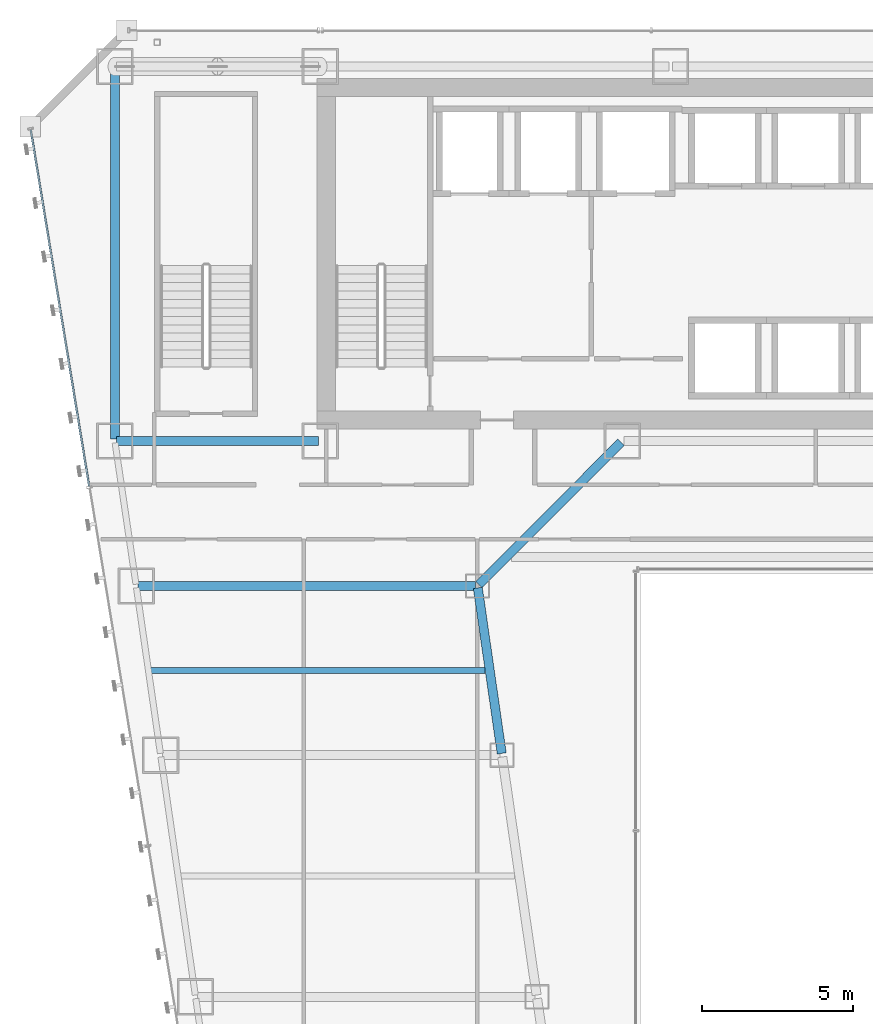
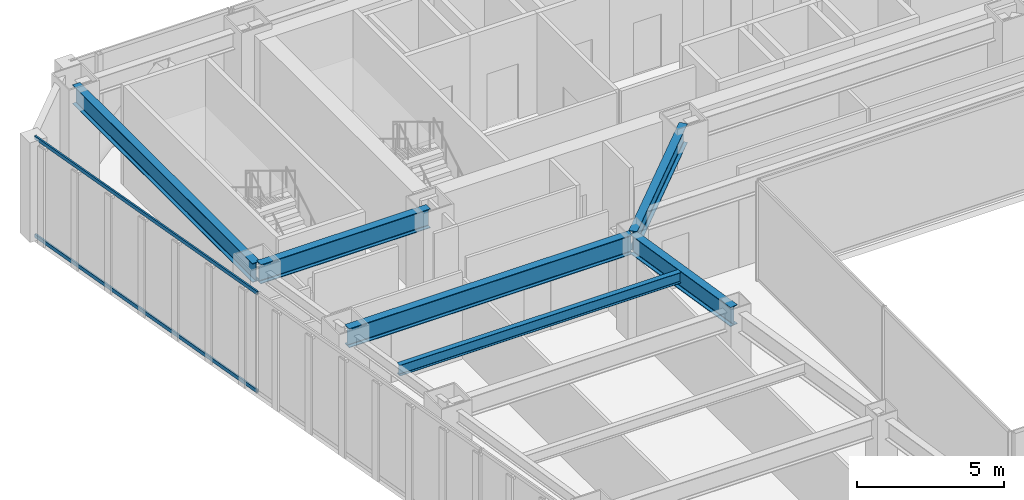
# One storey, part 23 of 47: 6 beams, 2 members, 1 element without a shape of its own.
"""IFC4 building model written with IfcOpenShell, lengths in metres."""

from ifc_helpers import new_model, si_unit, direction, frame, origin, origin_2d, place, context, subcontext, project, spatial, hollow_rectangle, i_section, extrude, material, material_profile, profile_set, type_object, element, aggregate, save


model = new_model("IFC4")

# Units and contexts
model_context = context("Model", 3, precision=1e-05, world=origin(), true_north=direction((0.0, 1.0)))
body_context = subcontext(model_context, "Body", "Model", "MODEL_VIEW")
ifc_project = project(units=[si_unit("LENGTHUNIT", "METRE"), si_unit("AREAUNIT", "SQUARE_METRE"), si_unit("VOLUMEUNIT", "CUBIC_METRE"), si_unit("PLANEANGLEUNIT", "RADIAN"), si_unit("MASSUNIT", "GRAM", prefix="KILO")], contexts=[model_context])

# Site, building, storey
site_placement = place(None, origin())
site = spatial("IfcSite", under=ifc_project, at=site_placement, CompositionType="ELEMENT")
building_placement = place(site_placement, origin())
building = spatial("IfcBuilding", under=site, at=building_placement, Name="Saevonmaru Cultural Tower", CompositionType="ELEMENT")
storey_placement = place(building_placement, frame((0.0, 0.0, 51.60009765625)))
storey = spatial("IfcBuildingStorey", under=building, at=storey_placement, Name="L10", CompositionType="ELEMENT", Elevation=51.60009765625)

# Beams
ifc_material_1 = material(Name="Steel SM420", Category="steel")
ifc_material_profile_1 = material_profile(ifc_material_1, i_section(OverallWidth=0.300048828125, OverallDepth=0.800048828125, WebThickness=0.013916015625, FlangeThickness=0.02587890625, FilletRadius=0.028076171875, at=origin_2d()), Name="H-800x300x14x26")
ifc_profile_set_1 = profile_set([ifc_material_profile_1], Name="Steel SM420")
beam_type_1 = type_object("IfcBeamType", Name="BM-G-H800", PredefinedType="BEAM", material=ifc_profile_set_1)
beam_1_placement = place(storey_placement, frame((6.860107421875, 42.39990234375, 3.75), z_axis=(1.0, 0.0, 0.0), x_axis=(0.0, 1.0, 0.0)))
element("IfcBeam", 1, at=beam_1_placement, inside=storey, type_object=beam_type_1, Name="L10 Core South Girder 1", PredefinedType="BEAM", context=body_context, shape_type="SweptSolid", body=[
    extrude(i_section(OverallWidth=0.300048828125, OverallDepth=0.800048828125, WebThickness=0.013916015625, FlangeThickness=0.02587890625, FilletRadius=0.028076171875, at=origin_2d()), origin(), (0.0, 0.0, 1.0), 6.679931640625),
])
beam_2_placement = place(storey_placement, frame((6.800048828125, 54.739990234375, 3.75), z_axis=(0.0, -1.0, 0.0), x_axis=(1.0, 0.0, 0.0)))
element("IfcBeam", 2, at=beam_2_placement, inside=storey, type_object=beam_type_1, Name="L10 Spine Transverse Girder W", PredefinedType="BEAM", context=body_context, shape_type="SweptSolid", body=[
    extrude(i_section(OverallWidth=0.300048828125, OverallDepth=0.800048828125, WebThickness=0.013916015625, FlangeThickness=0.02587890625, FilletRadius=0.028076171875, at=origin_2d()), origin(), (0.0, 0.0, 1.0), 12.280029296875),
])
beam_3_placement = place(storey_placement, frame((19.6083984375, 32.059326171875, 3.75), z_axis=(-0.142964121327, 0.989727871697, 0.0), x_axis=(-0.989727871697, -0.142964121327, 0.0)))
element("IfcBeam", 3, at=beam_3_placement, inside=storey, type_object=beam_type_1, Name="L10 West Atrium Girder 5", PredefinedType="BEAM", context=body_context, shape_type="SweptSolid", body=[
    extrude(i_section(OverallWidth=0.300048828125, OverallDepth=0.800048828125, WebThickness=0.013916015625, FlangeThickness=0.02587890625, FilletRadius=0.028076171875, at=origin_2d()), origin(), (0.0, 0.0, 1.0), 5.5380859375),
])
beam_4_placement = place(storey_placement, frame((18.850341796875, 37.642578125, 3.75), z_axis=(0.706538566564, 0.707674539572, 0.0), x_axis=(-0.707674539572, 0.706538566564, 0.0)))
element("IfcBeam", 4, at=beam_4_placement, inside=storey, type_object=beam_type_1, Name="L10 West Atrium Girder 6", PredefinedType="BEAM", context=body_context, shape_type="SweptSolid", body=[
    extrude(i_section(OverallWidth=0.300048828125, OverallDepth=0.800048828125, WebThickness=0.013916015625, FlangeThickness=0.02587890625, FilletRadius=0.028076171875, at=origin_2d()), origin(), (0.0, 0.0, 1.0), 6.662353515625),
])
beam_5_placement = place(storey_placement, frame((7.568115234375, 37.60009765625, 3.75), z_axis=(1.0, 0.0, 0.0), x_axis=(0.0, 1.0, 0.0)))
element("IfcBeam", 5, at=beam_5_placement, inside=storey, type_object=beam_type_1, Name="L10 West Wing Transverse Girder 6", PredefinedType="BEAM", context=body_context, shape_type="SweptSolid", body=[
    extrude(i_section(OverallWidth=0.300048828125, OverallDepth=0.800048828125, WebThickness=0.013916015625, FlangeThickness=0.02587890625, FilletRadius=0.028076171875, at=origin_2d()), origin(), (0.0, 0.0, 1.0), 11.179931640625),
])
ifc_material_2 = material(Name="Steel SM355", Category="steel")
ifc_material_profile_2 = material_profile(ifc_material_2, i_section(OverallWidth=0.199951171875, OverallDepth=0.449951171875, WebThickness=0.009033203125, FlangeThickness=0.013916015625, FilletRadius=0.01806640625, at=origin_2d()), Name="H-450x200x9x14")
ifc_profile_set_2 = profile_set([ifc_material_profile_2], Name="Steel SM355")
beam_type_2 = type_object("IfcBeamType", Name="BM-J-H450", PredefinedType="JOIST", material=ifc_profile_set_2)
beam_6_placement = place(storey_placement, frame((7.972412109375, 34.800048828125, 3.9248046875), z_axis=(1.0, 0.0, 0.0), x_axis=(0.0, 1.0, 0.0)))
element("IfcBeam", 6, at=beam_6_placement, inside=storey, type_object=beam_type_2, Name="L10 West Wing Floor Joist 5", PredefinedType="JOIST", context=body_context, shape_type="SweptSolid", body=[
    extrude(i_section(OverallWidth=0.199951171875, OverallDepth=0.449951171875, WebThickness=0.009033203125, FlangeThickness=0.013916015625, FilletRadius=0.01806640625, at=origin_2d()), origin(), (0.0, 0.0, 1.0), 11.08203125),
])

# Curtain wall, members
ifc_material_3 = material(Name="Satin Bronze Anodised Aluminium", Category="aluminium")
curtain_wall_type = type_object("IfcCurtainWallType", Name="CW-TYP-A", PredefinedType="NOTDEFINED", material=ifc_material_3)
curtain_wall_placement = place(storey_placement, origin())
curtain_wall = element("IfcCurtainWall", 7, at=curtain_wall_placement, inside=storey, type_object=curtain_wall_type, Name="L10 Unitised Curtain Wall E12", PredefinedType="NOTDEFINED")
ifc_material_profile_3 = material_profile(ifc_material_3, hollow_rectangle(XDim=0.06494140625, YDim=0.14990234375, WallThickness=0.00390625, at=origin_2d()), Name="ALU-TRAN-150x65x4")
ifc_profile_set_3 = profile_set([ifc_material_profile_3], Name="Satin Bronze Anodised Aluminium")
member_type = type_object("IfcMemberType", Name="TR-CW-150x65", PredefinedType="USERDEFINED", material=ifc_profile_set_3)
member_1_placement = place(storey_placement, frame((4.014892578125, 52.708740234375, 0.032470703125), z_axis=(0.161724530373, -0.986835941925, 0.0), x_axis=(0.986835941925, 0.161724530373, 0.0)))
member_1 = element("IfcMember", 8, at=member_1_placement, type_object=member_type, Name="CW-TW-L10-E12 transom 1.1", ObjectType="TRANSOM", PredefinedType="USERDEFINED", context=body_context, shape_type="SweptSolid", body=[
    extrude(hollow_rectangle(XDim=0.06494140625, YDim=0.14990234375, WallThickness=0.00390625, at=origin_2d()), origin(), (0.0, 0.0, 1.0), 11.963623046875),
])
member_2_placement = place(storey_placement, frame((4.014892578125, 52.708740234375, 4.117431640625), z_axis=(0.161724530373, -0.986835941925, 0.0), x_axis=(0.986835941925, 0.161724530373, 0.0)))
member_2 = element("IfcMember", 9, at=member_2_placement, type_object=member_type, Name="CW-TW-L10-E12 transom 1.2", ObjectType="TRANSOM", PredefinedType="USERDEFINED", context=body_context, shape_type="SweptSolid", body=[
    extrude(hollow_rectangle(XDim=0.06494140625, YDim=0.14990234375, WallThickness=0.00390625, at=origin_2d()), origin(), (0.0, 0.0, 1.0), 11.963623046875),
])
aggregate(curtain_wall, [member_1, member_2])

save(model, "model.ifc")
